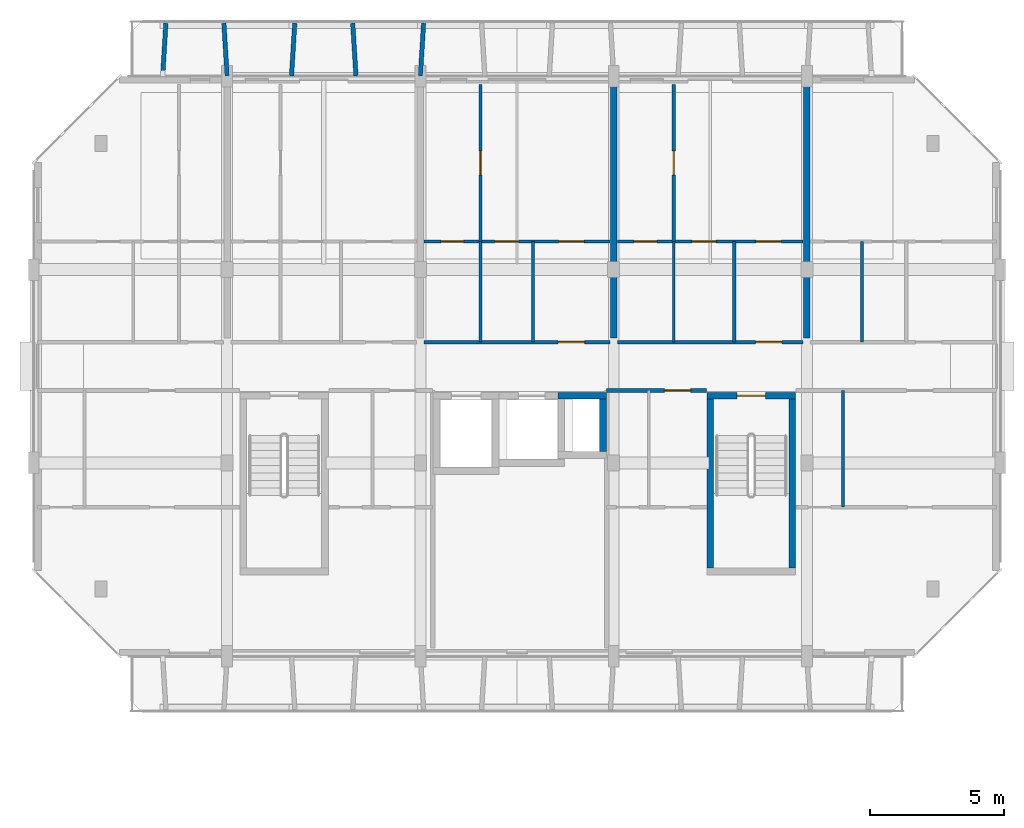
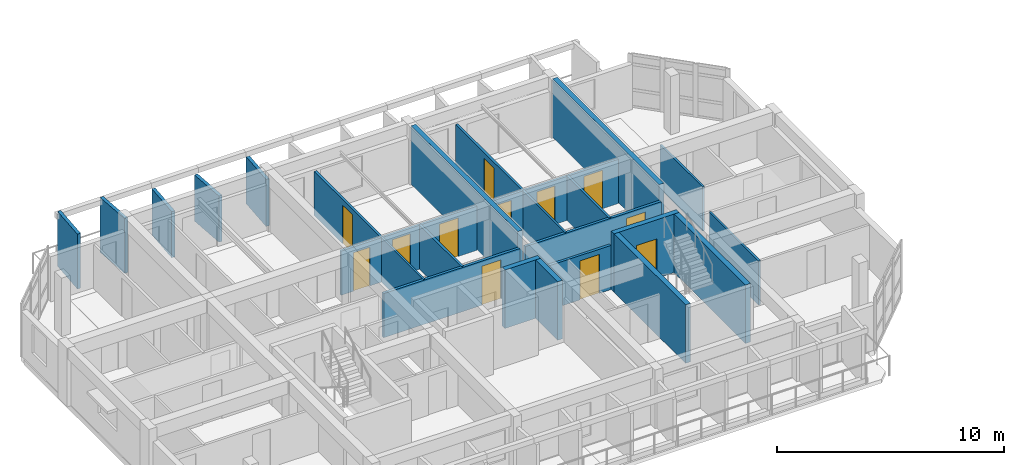
# One storey, part 20 of 44: 25 walls, 12 doors, 12 openings.
"""IFC4 building model written with IfcOpenShell, lengths in metres."""

from ifc_helpers import new_model, si_unit, direction, frame, frame_2d, origin, place, context, subcontext, project, spatial, rectangle, extrude, material, layer, layer_set, type_object, element, fill, save


model = new_model("IFC4")

# Units and contexts
model_context = context("Model", 3, precision=1e-05, world=origin(), true_north=direction((0.0, 1.0)))
body_context = subcontext(model_context, "Body", "Model", "MODEL_VIEW")
ifc_project = project(units=[si_unit("LENGTHUNIT", "METRE"), si_unit("AREAUNIT", "SQUARE_METRE"), si_unit("VOLUMEUNIT", "CUBIC_METRE"), si_unit("PLANEANGLEUNIT", "RADIAN"), si_unit("MASSUNIT", "GRAM", prefix="KILO")], contexts=[model_context])

# Site, building, storey
site_placement = place(None, origin())
site = spatial("IfcSite", under=ifc_project, at=site_placement, CompositionType="ELEMENT")
building_placement = place(site_placement, origin())
building = spatial("IfcBuilding", under=site, at=building_placement, Name="Ochrevale Crest", CompositionType="ELEMENT")
storey_placement = place(building_placement, frame((0.0, 0.0, 21.300048828125)))
storey = spatial("IfcBuildingStorey", under=building, at=storey_placement, Name="L06", CompositionType="ELEMENT", Elevation=21.300048828125)

# Wall, opening, door
ifc_material_1 = material(Name="Gypsum plasterboard", Category="gypsum")
ifc_layer_1 = layer(ifc_material_1, 0.139892578125)
ifc_layer_set_1 = layer_set([ifc_layer_1], Name="Gypsum plasterboard")
wall_type_1 = type_object("IfcWallType", Name="WL-COR-140", PredefinedType="PARTITIONING", material=ifc_layer_set_1)
wall_1_placement = place(storey_placement, frame((14.5400390625, 83.699951171875, 0.0), z_axis=(0.0, 0.0, 1.0), x_axis=(1.0, 0.0, 0.0)))
wall_1 = element("IfcWall", 1, at=wall_1_placement, inside=storey, type_object=wall_type_1, Name="Apartment B-L06-U3 corridor wall", PredefinedType="PARTITIONING", context=body_context, shape_type="SweptSolid", body=[
    extrude(rectangle(XDim=6.919921875, YDim=0.139892578125, at=frame_2d((3.4599609375, 0.0))), origin(), (0.0, 0.0, 1.0), 2.3798828125),
])
opening_1_placement = place(wall_1_placement, frame((5.97509765625, 0.0, 0.0), z_axis=(0.0, 0.0, 1.0), x_axis=(-1.0, 0.0, 0.0)))
opening_1 = element("IfcOpeningElement", 2, at=opening_1_placement, cuts=wall_1, Name="Opening FD01", PredefinedType="OPENING", context=body_context, shape_type="SweptSolid", body=[
    extrude(rectangle(XDim=0.97998046875, YDim=2.10009765625, at=frame_2d((0.489990234375, 1.050048828125))), frame((0.0, 0.080078125, 0.0), z_axis=(0.0, -1.0, 0.0), x_axis=(1.0, 0.0, 0.0)), (0.0, 0.0, 1.0), 0.159912109375),
])
ifc_material_2 = material(Name="Solid-core FSC hardwood", Category="wood")
door_type_1 = type_object("IfcDoorType", Name="DR-APT-950", OperationType="NOTDEFINED", PredefinedType="DOOR", material=ifc_material_2)
door_1_placement = place(opening_1_placement, origin())
door_1 = element("IfcDoor", 3, at=door_1_placement, inside=storey, type_object=door_type_1, Name="Apartment B-L06-U3 entrance door", OperationType="SINGLE_SWING_RIGHT", OverallHeight=2.10009765625, OverallWidth=0.97998046875, PredefinedType="DOOR", context=body_context, shape_type="SweptSolid", body=[
    extrude(rectangle(XDim=0.97998046875, YDim=2.10009765625, at=frame_2d((0.489990234375, 1.050048828125))), frame((0.0, 0.02490234375, 0.0), z_axis=(0.0, -1.0, 0.0), x_axis=(1.0, 0.0, 0.0)), (0.0, 0.0, 1.0), 0.050048828125),
])
fill(opening_1, door_1)

wall_2_placement = place(storey_placement, frame((21.739990234375, 83.699951171875, 0.0), z_axis=(0.0, 0.0, 1.0), x_axis=(1.0, 0.0, 0.0)))
wall_2 = element("IfcWall", 4, at=wall_2_placement, inside=storey, type_object=wall_type_1, Name="Apartment B-L06-U4 corridor wall", PredefinedType="PARTITIONING", context=body_context, shape_type="SweptSolid", body=[
    extrude(rectangle(XDim=6.919921875, YDim=0.139892578125, at=frame_2d((3.4599609375, 0.0))), origin(), (0.0, 0.0, 1.0), 2.3798828125),
])
opening_2_placement = place(wall_2_placement, frame((5.14501953125, 0.0, 0.0)))
opening_2 = element("IfcOpeningElement", 5, at=opening_2_placement, cuts=wall_2, Name="Opening FD01", PredefinedType="OPENING", context=body_context, shape_type="SweptSolid", body=[
    extrude(rectangle(XDim=0.97998046875, YDim=2.10009765625, at=frame_2d((0.489990234375, 1.050048828125))), frame((0.0, 0.080078125, 0.0), z_axis=(0.0, -1.0, 0.0), x_axis=(1.0, 0.0, 0.0)), (0.0, 0.0, 1.0), 0.159912109375),
])
door_2_placement = place(opening_2_placement, origin())
door_2 = element("IfcDoor", 6, at=door_2_placement, inside=storey, type_object=door_type_1, Name="Apartment B-L06-U4 entrance door", OperationType="SINGLE_SWING_LEFT", OverallHeight=2.10009765625, OverallWidth=0.97998046875, PredefinedType="DOOR", context=body_context, shape_type="SweptSolid", body=[
    extrude(rectangle(XDim=0.97998046875, YDim=2.10009765625, at=frame_2d((0.489990234375, 1.050048828125))), frame((0.0, 0.02490234375, 0.0), z_axis=(0.0, -1.0, 0.0), x_axis=(1.0, 0.0, 0.0)), (0.0, 0.0, 1.0), 0.050048828125),
])
fill(opening_2, door_2)

wall_3_placement = place(storey_placement, frame((21.340087890625, 81.89990234375, 0.0), z_axis=(0.0, 0.0, 1.0), x_axis=(1.0, 0.0, 0.0)))
wall_3 = element("IfcWall", 7, at=wall_3_placement, inside=storey, type_object=wall_type_1, Name="Suite B-L06-ME corridor wall", PredefinedType="PARTITIONING", context=body_context, shape_type="SweptSolid", body=[
    extrude(rectangle(XDim=3.719970703125, YDim=0.139892578125, at=frame_2d((1.85986328125, 0.0))), origin(), (0.0, 0.0, 1.0), 2.3798828125),
])
opening_3_placement = place(wall_3_placement, frame((3.131103515625, 0.0, 0.0), z_axis=(0.0, 0.0, 1.0), x_axis=(-1.0, 0.0, 0.0)))
opening_3 = element("IfcOpeningElement", 8, at=opening_3_placement, cuts=wall_3, Name="Opening FD01", PredefinedType="OPENING", context=body_context, shape_type="SweptSolid", body=[
    extrude(rectangle(XDim=0.97998046875, YDim=2.10009765625, at=frame_2d((0.489990234375, 1.050048828125))), frame((0.0, 0.080078125, 0.0), z_axis=(0.0, -1.0, 0.0), x_axis=(1.0, 0.0, 0.0)), (0.0, 0.0, 1.0), 0.159912109375),
])
door_3_placement = place(opening_3_placement, origin())
door_3 = element("IfcDoor", 9, at=door_3_placement, inside=storey, type_object=door_type_1, Name="Suite B-L06-ME entrance door", OperationType="SINGLE_SWING_RIGHT", OverallHeight=2.10009765625, OverallWidth=0.97998046875, PredefinedType="DOOR", context=body_context, shape_type="SweptSolid", body=[
    extrude(rectangle(XDim=0.97998046875, YDim=2.10009765625, at=frame_2d((0.489990234375, 1.050048828125))), frame((0.0, 0.02490234375, 0.0), z_axis=(0.0, -1.0, 0.0), x_axis=(1.0, 0.0, 0.0)), (0.0, 0.0, 1.0), 0.050048828125),
])
fill(opening_3, door_3)

ifc_material_3 = material(Name="Precast concrete C50/60", Category="concrete")
ifc_layer_2 = layer(ifc_material_3, 0.2548828125)
ifc_layer_set_2 = layer_set([ifc_layer_2], Name="Precast concrete C50/60")
wall_type_2 = type_object("IfcWallType", Name="WL-CORE-255", PredefinedType="SHEAR", material=ifc_layer_set_2)
wall_4_placement = place(storey_placement, frame((25.072509765625, 81.699951171875, 0.0), z_axis=(0.0, 0.0, 1.0), x_axis=(1.0, 0.0, 0.0)))
wall_4 = element("IfcWall", 10, at=wall_4_placement, inside=storey, type_object=wall_type_2, Name="Block B L06 Stair 2 precast core shear wall N", PredefinedType="SHEAR", context=body_context, shape_type="SweptSolid", body=[
    extrude(rectangle(XDim=3.304931640625, YDim=0.2548828125, at=frame_2d((1.65234375, 0.0))), origin(), (0.0, 0.0, 1.0), 3.14990234375),
])
opening_4_placement = place(wall_4_placement, frame((1.12744140625, 0.0, 0.0)))
opening_4 = element("IfcOpeningElement", 11, at=opening_4_placement, cuts=wall_4, Name="Opening FD03", PredefinedType="OPENING", context=body_context, shape_type="SweptSolid", body=[
    extrude(rectangle(XDim=1.050048828125, YDim=2.1201171875, at=frame_2d((0.52490234375, 1.06005859375))), frame((0.0, 0.137451171875, 0.0), z_axis=(0.0, -1.0, 0.0), x_axis=(1.0, 0.0, 0.0)), (0.0, 0.0, 1.0), 0.27490234375),
])
door_type_2 = type_object("IfcDoorType", Name="DR-ST-1050", OperationType="NOTDEFINED", PredefinedType="DOOR", material=ifc_material_2)
door_4_placement = place(opening_4_placement, origin())
door_4 = element("IfcDoor", 12, at=door_4_placement, inside=storey, type_object=door_type_2, Name="Block B L06 fire stair 2 door", OperationType="SINGLE_SWING_LEFT", OverallHeight=2.1201171875, OverallWidth=1.050048828125, PredefinedType="DOOR", context=body_context, shape_type="SweptSolid", body=[
    extrude(rectangle(XDim=1.050048828125, YDim=2.1201171875, at=frame_2d((0.52490234375, 1.06005859375))), frame((0.0, 0.02490234375, 0.0), z_axis=(0.0, -1.0, 0.0), x_axis=(1.0, 0.0, 0.0)), (0.0, 0.0, 1.0), 0.050048828125),
])
fill(opening_4, door_4)

# Walls
for number, where, z_axis, x_axis, name in (
    (13, (25.199951171875, 75.277587890625, 0.0), (0.0, 0.0, 1.0), (0.0, 1.0, 0.0), "Block B L06 Stair 2 precast core shear wall W"),
    (14, (28.25, 75.277587890625, 0.0), (0.0, 0.0, 1.0), (0.0, 1.0, 0.0), "Block B L06 Stair 2 precast core shear wall E"),
):
    element("IfcWall", number, at=place(storey_placement, frame(where, z_axis=z_axis, x_axis=x_axis)), inside=storey, type_object=wall_type_2, Name=name, PredefinedType="SHEAR", context=body_context, shape_type="SweptSolid", body=[
        extrude(rectangle(XDim=6.294921875, YDim=0.2548828125, at=frame_2d((3.1474609375, 0.0))), origin(), (0.0, 0.0, 1.0), 3.14990234375),
    ])
wall_5_placement = place(storey_placement, frame((19.5224609375, 81.699951171875, 0.0), z_axis=(0.0, 0.0, 1.0), x_axis=(1.0, 0.0, 0.0)))
element("IfcWall", 15, at=wall_5_placement, inside=storey, type_object=wall_type_2, Name="Block B L06 services riser shaft core wall N", PredefinedType="SHEAR", context=body_context, shape_type="SweptSolid", body=[
    extrude(rectangle(XDim=1.804931640625, YDim=0.2548828125, at=frame_2d((0.90234375, 0.0))), origin(), (0.0, 0.0, 1.0), 3.14990234375),
])
wall_6_placement = place(storey_placement, frame((21.199951171875, 79.62744140625, 0.0), z_axis=(0.0, 0.0, 1.0), x_axis=(0.0, 1.0, 0.0)))
element("IfcWall", 16, at=wall_6_placement, inside=storey, type_object=wall_type_2, Name="Block B L06 services riser shaft core wall E", PredefinedType="SHEAR", context=body_context, shape_type="SweptSolid", body=[
    extrude(rectangle(XDim=1.945068359375, YDim=0.2548828125, at=frame_2d((0.97265625, 0.0))), origin(), (0.0, 0.0, 1.0), 3.14990234375),
])
ifc_material_4 = material(Name="Precast concrete C40/50", Category="concrete")
ifc_layer_3 = layer(ifc_material_4, 0.1650390625)
ifc_layer_set_3 = layer_set([ifc_layer_3], Name="Precast concrete C40/50")
wall_type_3 = type_object("IfcWallType", Name="WL-HC-CHEEK-165", PredefinedType="ELEMENTEDWALL", material=ifc_layer_set_3)
for number, where, z_axis, x_axis, name in (
    (17, (4.800048828125, 93.6201171875, 0.0), (0.0, 0.0, 1.0), (0.061046865508, 0.998134900808, 0.0), "Block B L06 N precast honeycomb cheek 1"),
    (18, (7.199951171875, 93.6201171875, 0.0), (0.0, 0.0, 1.0), (-0.061046865508, 0.998134900808, 0.0), "Block B L06 N precast honeycomb cheek 2"),
):
    element("IfcWall", number, at=place(storey_placement, frame(where, z_axis=z_axis, x_axis=x_axis)), inside=storey, type_object=wall_type_3, Name=name, PredefinedType="ELEMENTEDWALL", context=body_context, shape_type="SweptSolid", body=[
        extrude(rectangle(XDim=1.963623046875, YDim=0.1650390625, at=frame_2d((0.98193359375, 0.0))), origin(), (0.0, 0.0, 1.0), 2.949951171875),
    ])
for number, where, z_axis, x_axis, name in (
    (19, (9.60009765625, 93.6201171875, 0.0), (0.0, 0.0, 1.0), (0.061046865508, 0.998134900808, 0.0), "Block B L06 N precast honeycomb cheek 3"),
    (20, (12.0, 93.6201171875, 0.0), (0.0, 0.0, 1.0), (-0.061170732449, 0.998127317276, 0.0), "Block B L06 N precast honeycomb cheek 4"),
):
    element("IfcWall", number, at=place(storey_placement, frame(where, z_axis=z_axis, x_axis=x_axis)), inside=storey, type_object=wall_type_3, Name=name, PredefinedType="ELEMENTEDWALL", context=body_context, shape_type="SweptSolid", body=[
        extrude(rectangle(XDim=1.963623046875, YDim=0.1650390625, at=frame_2d((0.98193359375, 0.0))), origin(), (0.0, 0.0, 1.0), 2.47998046875),
    ])
wall_7_placement = place(storey_placement, frame((14.39990234375, 93.6201171875, 0.0), z_axis=(0.0, 0.0, 1.0), x_axis=(0.061170732449, 0.998127317276, 0.0)))
element("IfcWall", 21, at=wall_7_placement, inside=storey, type_object=wall_type_3, Name="Block B L06 N precast honeycomb cheek 5", PredefinedType="ELEMENTEDWALL", context=body_context, shape_type="SweptSolid", body=[
    extrude(rectangle(XDim=1.963623046875, YDim=0.1650390625, at=frame_2d((0.98193359375, 0.0))), origin(), (0.0, 0.0, 1.0), 2.530029296875),
])
ifc_layer_4 = layer(ifc_material_1, 0.1201171875)
ifc_layer_set_4 = layer_set([ifc_layer_4], Name="Gypsum plasterboard")
wall_type_4 = type_object("IfcWallType", Name="WL-PART-120", PredefinedType="PARTITIONING", material=ifc_layer_set_4)
wall_8_placement = place(storey_placement, frame((18.590087890625, 83.699951171875, 0.0), z_axis=(0.0, 0.0, 1.0), x_axis=(0.0, 1.0, 0.0)))
element("IfcWall", 22, at=wall_8_placement, inside=storey, type_object=wall_type_4, Name="Apartment B-L06-U3 kitchen-foyer wall", PredefinedType="PARTITIONING", context=body_context, shape_type="SweptSolid", body=[
    extrude(rectangle(XDim=3.75, YDim=0.1201171875, at=frame_2d((1.875, 0.0))), origin(), (0.0, 0.0, 1.0), 2.3798828125),
])

# Wall, openings, doors
wall_9_placement = place(storey_placement, frame((14.5400390625, 87.449951171875, 0.0), z_axis=(0.0, 0.0, 1.0), x_axis=(1.0, 0.0, 0.0)))
wall_9 = element("IfcWall", 23, at=wall_9_placement, inside=storey, type_object=wall_type_4, Name="Apartment B-L06-U3 central partition", PredefinedType="PARTITIONING", context=body_context, shape_type="SweptSolid", body=[
    extrude(rectangle(XDim=6.919921875, YDim=0.1201171875, at=frame_2d((3.4599609375, 0.0))), origin(), (0.0, 0.0, 1.0), 2.3798828125),
])
opening_5_placement = place(wall_9_placement, frame((0.625, 0.0, 0.0)))
opening_5 = element("IfcOpeningElement", 24, at=opening_5_placement, cuts=wall_9, Name="Opening ID01", PredefinedType="OPENING", context=body_context, shape_type="SweptSolid", body=[
    extrude(rectangle(XDim=0.85009765625, YDim=2.080078125, at=frame_2d((0.425048828125, 1.0400390625))), frame((0.0, 0.070068359375, 0.0), z_axis=(0.0, -1.0, 0.0), x_axis=(1.0, 0.0, 0.0)), (0.0, 0.0, 1.0), 0.14013671875),
])
opening_6_placement = place(wall_9_placement, frame((3.52490234375, 0.0, 0.0), z_axis=(0.0, 0.0, 1.0), x_axis=(-1.0, 0.0, 0.0)))
opening_6 = element("IfcOpeningElement", 25, at=opening_6_placement, cuts=wall_9, Name="Opening ID02", PredefinedType="OPENING", context=body_context, shape_type="SweptSolid", body=[
    extrude(rectangle(XDim=0.89990234375, YDim=2.080078125, at=frame_2d((0.449951171875, 1.0400390625))), frame((0.0, 0.070068359375, 0.0), z_axis=(0.0, -1.0, 0.0), x_axis=(1.0, 0.0, 0.0)), (0.0, 0.0, 1.0), 0.14013671875),
])
opening_7_placement = place(wall_9_placement, frame((5.010009765625, 0.0, 0.0)))
opening_7 = element("IfcOpeningElement", 26, at=opening_7_placement, cuts=wall_9, Name="Opening ID06", PredefinedType="OPENING", context=body_context, shape_type="SweptSolid", body=[
    extrude(rectangle(XDim=0.949951171875, YDim=2.080078125, at=frame_2d((0.47509765625, 1.0400390625))), frame((0.0, 0.070068359375, 0.0), z_axis=(0.0, -1.0, 0.0), x_axis=(1.0, 0.0, 0.0)), (0.0, 0.0, 1.0), 0.14013671875),
])
door_type_3 = type_object("IfcDoorType", Name="DR-INT-900", OperationType="NOTDEFINED", PredefinedType="DOOR", material=ifc_material_2)
door_5_placement = place(opening_6_placement, origin())
door_5 = element("IfcDoor", 27, at=door_5_placement, inside=storey, type_object=door_type_3, Name="Apartment B-L06-U3 Kitchen door", OperationType="SINGLE_SWING_RIGHT", OverallHeight=2.080078125, OverallWidth=0.89990234375, PredefinedType="DOOR", context=body_context, shape_type="SweptSolid", body=[
    extrude(rectangle(XDim=0.89990234375, YDim=2.080078125, at=frame_2d((0.449951171875, 1.0400390625))), frame((0.0, 0.02490234375, 0.0), z_axis=(0.0, -1.0, 0.0), x_axis=(1.0, 0.0, 0.0)), (0.0, 0.0, 1.0), 0.050048828125),
])
fill(opening_6, door_5)
door_type_4 = type_object("IfcDoorType", Name="DR-INT-950", OperationType="NOTDEFINED", PredefinedType="DOOR", material=ifc_material_2)
door_6_placement = place(opening_7_placement, origin())
door_6 = element("IfcDoor", 28, at=door_6_placement, inside=storey, type_object=door_type_4, Name="Apartment B-L06-U3 Living Foyer door", OperationType="SINGLE_SWING_LEFT", OverallHeight=2.080078125, OverallWidth=0.949951171875, PredefinedType="DOOR", context=body_context, shape_type="SweptSolid", body=[
    extrude(rectangle(XDim=0.949951171875, YDim=2.080078125, at=frame_2d((0.47509765625, 1.0400390625))), frame((0.0, 0.02490234375, 0.0), z_axis=(0.0, -1.0, 0.0), x_axis=(1.0, 0.0, 0.0)), (0.0, 0.0, 1.0), 0.050048828125),
])
fill(opening_7, door_6)
door_type_5 = type_object("IfcDoorType", Name="DR-WC-850", OperationType="NOTDEFINED", PredefinedType="DOOR", material=ifc_material_2)
door_7_placement = place(opening_5_placement, origin())
door_7 = element("IfcDoor", 29, at=door_7_placement, inside=storey, type_object=door_type_5, Name="Apartment B-L06-U3 Bathroom door", OperationType="SINGLE_SWING_LEFT", OverallHeight=2.080078125, OverallWidth=0.85009765625, PredefinedType="DOOR", context=body_context, shape_type="SweptSolid", body=[
    extrude(rectangle(XDim=0.85009765625, YDim=2.080078125, at=frame_2d((0.425048828125, 1.0400390625))), frame((0.0, 0.02490234375, 0.0), z_axis=(0.0, -1.0, 0.0), x_axis=(1.0, 0.0, 0.0)), (0.0, 0.0, 1.0), 0.050048828125),
])
fill(opening_5, door_7)

# Wall, opening, door
wall_10_placement = place(storey_placement, frame((16.639892578125, 87.449951171875, 0.0), z_axis=(0.0, 0.0, 1.0), x_axis=(0.0, 1.0, 0.0)))
wall_10 = element("IfcWall", 30, at=wall_10_placement, inside=storey, type_object=wall_type_4, Name="Apartment B-L06-U3 bedroom partition", PredefinedType="PARTITIONING", context=body_context, shape_type="SweptSolid", body=[
    extrude(rectangle(XDim=5.85009765625, YDim=0.1201171875, at=frame_2d((2.925048828125, 0.0))), origin(), (0.0, 0.0, 1.0), 2.3798828125),
])
opening_8_placement = place(wall_10_placement, frame((3.375, 0.0, 0.0), z_axis=(0.0, 0.0, 1.0), x_axis=(-1.0, 0.0, 0.0)))
opening_8 = element("IfcOpeningElement", 31, at=opening_8_placement, cuts=wall_10, Name="Opening ID02", PredefinedType="OPENING", context=body_context, shape_type="SweptSolid", body=[
    extrude(rectangle(XDim=0.89990234375, YDim=2.080078125, at=frame_2d((0.449951171875, 1.0400390625))), frame((0.0, 0.070068359375, 0.0), z_axis=(0.0, -1.0, 0.0), x_axis=(1.0, 0.0, 0.0)), (0.0, 0.0, 1.0), 0.14013671875),
])
door_8_placement = place(opening_8_placement, origin())
door_8 = element("IfcDoor", 32, at=door_8_placement, inside=storey, type_object=door_type_3, Name="Apartment B-L06-U3 Master Bedroom door", OperationType="SINGLE_SWING_RIGHT", OverallHeight=2.080078125, OverallWidth=0.89990234375, PredefinedType="DOOR", context=body_context, shape_type="SweptSolid", body=[
    extrude(rectangle(XDim=0.89990234375, YDim=2.080078125, at=frame_2d((0.449951171875, 1.0400390625))), frame((0.0, 0.02490234375, 0.0), z_axis=(0.0, -1.0, 0.0), x_axis=(1.0, 0.0, 0.0)), (0.0, 0.0, 1.0), 0.050048828125),
])
fill(opening_8, door_8)

# Wall
wall_11_placement = place(storey_placement, frame((26.090087890625, 83.699951171875, 0.0), z_axis=(0.0, 0.0, 1.0), x_axis=(0.0, 1.0, 0.0)))
element("IfcWall", 33, at=wall_11_placement, inside=storey, type_object=wall_type_4, Name="Apartment B-L06-U4 kitchen-foyer wall", PredefinedType="PARTITIONING", context=body_context, shape_type="SweptSolid", body=[
    extrude(rectangle(XDim=3.75, YDim=0.1201171875, at=frame_2d((1.875, 0.0))), origin(), (0.0, 0.0, 1.0), 2.3798828125),
])

# Wall, openings, doors
wall_12_placement = place(storey_placement, frame((21.739990234375, 87.449951171875, 0.0), z_axis=(0.0, 0.0, 1.0), x_axis=(1.0, 0.0, 0.0)))
wall_12 = element("IfcWall", 34, at=wall_12_placement, inside=storey, type_object=wall_type_4, Name="Apartment B-L06-U4 central partition", PredefinedType="PARTITIONING", context=body_context, shape_type="SweptSolid", body=[
    extrude(rectangle(XDim=6.919921875, YDim=0.1201171875, at=frame_2d((3.4599609375, 0.0))), origin(), (0.0, 0.0, 1.0), 2.3798828125),
])
opening_9_placement = place(wall_12_placement, frame((1.47509765625, 0.0, 0.0), z_axis=(0.0, 0.0, 1.0), x_axis=(-1.0, 0.0, 0.0)))
opening_9 = element("IfcOpeningElement", 35, at=opening_9_placement, cuts=wall_12, Name="Opening ID01", PredefinedType="OPENING", context=body_context, shape_type="SweptSolid", body=[
    extrude(rectangle(XDim=0.85009765625, YDim=2.080078125, at=frame_2d((0.425048828125, 1.0400390625))), frame((0.0, 0.070068359375, 0.0), z_axis=(0.0, -1.0, 0.0), x_axis=(1.0, 0.0, 0.0)), (0.0, 0.0, 1.0), 0.14013671875),
])
opening_10_placement = place(wall_12_placement, frame((2.77490234375, 0.0, 0.0)))
opening_10 = element("IfcOpeningElement", 36, at=opening_10_placement, cuts=wall_12, Name="Opening ID02", PredefinedType="OPENING", context=body_context, shape_type="SweptSolid", body=[
    extrude(rectangle(XDim=0.89990234375, YDim=2.080078125, at=frame_2d((0.449951171875, 1.0400390625))), frame((0.0, 0.070068359375, 0.0), z_axis=(0.0, -1.0, 0.0), x_axis=(1.0, 0.0, 0.0)), (0.0, 0.0, 1.0), 0.14013671875),
])
opening_11_placement = place(wall_12_placement, frame((6.10986328125, 0.0, 0.0), z_axis=(0.0, 0.0, 1.0), x_axis=(-1.0, 0.0, 0.0)))
opening_11 = element("IfcOpeningElement", 37, at=opening_11_placement, cuts=wall_12, Name="Opening ID06", PredefinedType="OPENING", context=body_context, shape_type="SweptSolid", body=[
    extrude(rectangle(XDim=0.949951171875, YDim=2.080078125, at=frame_2d((0.47509765625, 1.0400390625))), frame((0.0, 0.070068359375, 0.0), z_axis=(0.0, -1.0, 0.0), x_axis=(1.0, 0.0, 0.0)), (0.0, 0.0, 1.0), 0.14013671875),
])
door_9_placement = place(opening_10_placement, origin())
door_9 = element("IfcDoor", 38, at=door_9_placement, inside=storey, type_object=door_type_3, Name="Apartment B-L06-U4 Kitchen door", OperationType="SINGLE_SWING_LEFT", OverallHeight=2.080078125, OverallWidth=0.89990234375, PredefinedType="DOOR", context=body_context, shape_type="SweptSolid", body=[
    extrude(rectangle(XDim=0.89990234375, YDim=2.080078125, at=frame_2d((0.449951171875, 1.0400390625))), frame((0.0, 0.02490234375, 0.0), z_axis=(0.0, -1.0, 0.0), x_axis=(1.0, 0.0, 0.0)), (0.0, 0.0, 1.0), 0.050048828125),
])
fill(opening_10, door_9)
door_10_placement = place(opening_11_placement, origin())
door_10 = element("IfcDoor", 39, at=door_10_placement, inside=storey, type_object=door_type_4, Name="Apartment B-L06-U4 Living Foyer door", OperationType="SINGLE_SWING_RIGHT", OverallHeight=2.080078125, OverallWidth=0.949951171875, PredefinedType="DOOR", context=body_context, shape_type="SweptSolid", body=[
    extrude(rectangle(XDim=0.949951171875, YDim=2.080078125, at=frame_2d((0.47509765625, 1.0400390625))), frame((0.0, 0.02490234375, 0.0), z_axis=(0.0, -1.0, 0.0), x_axis=(1.0, 0.0, 0.0)), (0.0, 0.0, 1.0), 0.050048828125),
])
fill(opening_11, door_10)
door_11_placement = place(opening_9_placement, origin())
door_11 = element("IfcDoor", 40, at=door_11_placement, inside=storey, type_object=door_type_5, Name="Apartment B-L06-U4 Bathroom door", OperationType="SINGLE_SWING_RIGHT", OverallHeight=2.080078125, OverallWidth=0.85009765625, PredefinedType="DOOR", context=body_context, shape_type="SweptSolid", body=[
    extrude(rectangle(XDim=0.85009765625, YDim=2.080078125, at=frame_2d((0.425048828125, 1.0400390625))), frame((0.0, 0.02490234375, 0.0), z_axis=(0.0, -1.0, 0.0), x_axis=(1.0, 0.0, 0.0)), (0.0, 0.0, 1.0), 0.050048828125),
])
fill(opening_9, door_11)

# Wall, opening, door
wall_13_placement = place(storey_placement, frame((23.840087890625, 87.449951171875, 0.0), z_axis=(0.0, 0.0, 1.0), x_axis=(0.0, 1.0, 0.0)))
wall_13 = element("IfcWall", 41, at=wall_13_placement, inside=storey, type_object=wall_type_4, Name="Apartment B-L06-U4 bedroom partition", PredefinedType="PARTITIONING", context=body_context, shape_type="SweptSolid", body=[
    extrude(rectangle(XDim=5.85009765625, YDim=0.1201171875, at=frame_2d((2.925048828125, 0.0))), origin(), (0.0, 0.0, 1.0), 2.3798828125),
])
opening_12_placement = place(wall_13_placement, frame((2.47509765625, 0.0, 0.0)))
opening_12 = element("IfcOpeningElement", 42, at=opening_12_placement, cuts=wall_13, Name="Opening ID02", PredefinedType="OPENING", context=body_context, shape_type="SweptSolid", body=[
    extrude(rectangle(XDim=0.89990234375, YDim=2.080078125, at=frame_2d((0.449951171875, 1.0400390625))), frame((0.0, 0.070068359375, 0.0), z_axis=(0.0, -1.0, 0.0), x_axis=(1.0, 0.0, 0.0)), (0.0, 0.0, 1.0), 0.14013671875),
])
door_12_placement = place(opening_12_placement, origin())
door_12 = element("IfcDoor", 43, at=door_12_placement, inside=storey, type_object=door_type_3, Name="Apartment B-L06-U4 Twin Bedroom door", OperationType="SINGLE_SWING_LEFT", OverallHeight=2.080078125, OverallWidth=0.89990234375, PredefinedType="DOOR", context=body_context, shape_type="SweptSolid", body=[
    extrude(rectangle(XDim=0.89990234375, YDim=2.080078125, at=frame_2d((0.449951171875, 1.0400390625))), frame((0.0, 0.02490234375, 0.0), z_axis=(0.0, -1.0, 0.0), x_axis=(1.0, 0.0, 0.0)), (0.0, 0.0, 1.0), 0.050048828125),
])
fill(opening_12, door_12)

# Walls
ifc_layer_5 = layer(ifc_material_3, 0.239990234375)
ifc_layer_set_5 = layer_set([ifc_layer_5], Name="Precast concrete C50/60")
wall_type_5 = type_object("IfcWallType", Name="WL-SHEAR-240", PredefinedType="SHEAR", material=ifc_layer_set_5)
for number, where, z_axis, x_axis, name in (
    (44, (21.60009765625, 83.85009765625, 0.0), (0.0, 0.0, 1.0), (0.0, 1.0, 0.0), "Block B L06 load-bearing precast cross-wall X=21.6"),
    (45, (28.800048828125, 83.85009765625, 0.0), (0.0, 0.0, 1.0), (0.0, 1.0, 0.0), "Block B L06 load-bearing precast cross-wall X=28.8"),
):
    element("IfcWall", number, at=place(storey_placement, frame(where, z_axis=z_axis, x_axis=x_axis)), inside=storey, type_object=wall_type_5, Name=name, PredefinedType="SHEAR", context=body_context, shape_type="SweptSolid", body=[
        extrude(rectangle(XDim=9.39990234375, YDim=0.239990234375, at=frame_2d((4.699951171875, 0.0))), origin(), (0.0, 0.0, 1.0), 3.14990234375),
    ])
ifc_layer_6 = layer(ifc_material_1, 0.10009765625)
ifc_layer_set_6 = layer_set([ifc_layer_6], Name="Gypsum plasterboard")
wall_type_6 = type_object("IfcWallType", Name="WL-WET-100", PredefinedType="PARTITIONING", material=ifc_layer_set_6)
for number, where, z_axis, x_axis, name in (
    (46, (16.639892578125, 83.699951171875, 0.0), (0.0, 0.0, 1.0), (0.0, 1.0, 0.0), "Apartment B-L06-U3 bath-kitchen wall"),
    (47, (23.840087890625, 83.699951171875, 0.0), (0.0, 0.0, 1.0), (0.0, 1.0, 0.0), "Apartment B-L06-U4 bath-kitchen wall"),
    (48, (30.85009765625, 83.699951171875, 0.0), (0.0, 0.0, 1.0), (0.0, 1.0, 0.0), "Apartment B-L06-U5 bath-kitchen wall"),
):
    element("IfcWall", number, at=place(storey_placement, frame(where, z_axis=z_axis, x_axis=x_axis)), inside=storey, type_object=wall_type_6, Name=name, PredefinedType="PARTITIONING", context=body_context, shape_type="SweptSolid", body=[
        extrude(rectangle(XDim=3.75, YDim=0.10009765625, at=frame_2d((1.875, 0.0))), origin(), (0.0, 0.0, 1.0), 2.3798828125),
    ])
wall_14_placement = place(storey_placement, frame((30.139892578125, 77.550048828125, 0.0), z_axis=(0.0, 0.0, 1.0), x_axis=(0.0, 1.0, 0.0)))
element("IfcWall", 49, at=wall_14_placement, inside=storey, type_object=wall_type_6, Name="Suite B-L06-CE bathroom divider", PredefinedType="PARTITIONING", context=body_context, shape_type="SweptSolid", body=[
    extrude(rectangle(XDim=4.349853515625, YDim=0.10009765625, at=frame_2d((2.1748046875, 0.0))), origin(), (0.0, 0.0, 1.0), 2.3798828125),
])

save(model, "model.ifc")
